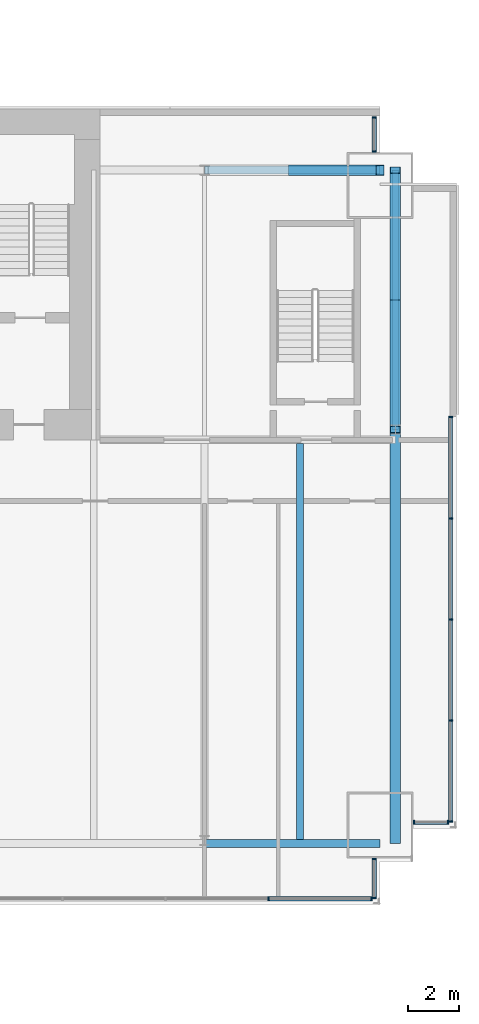
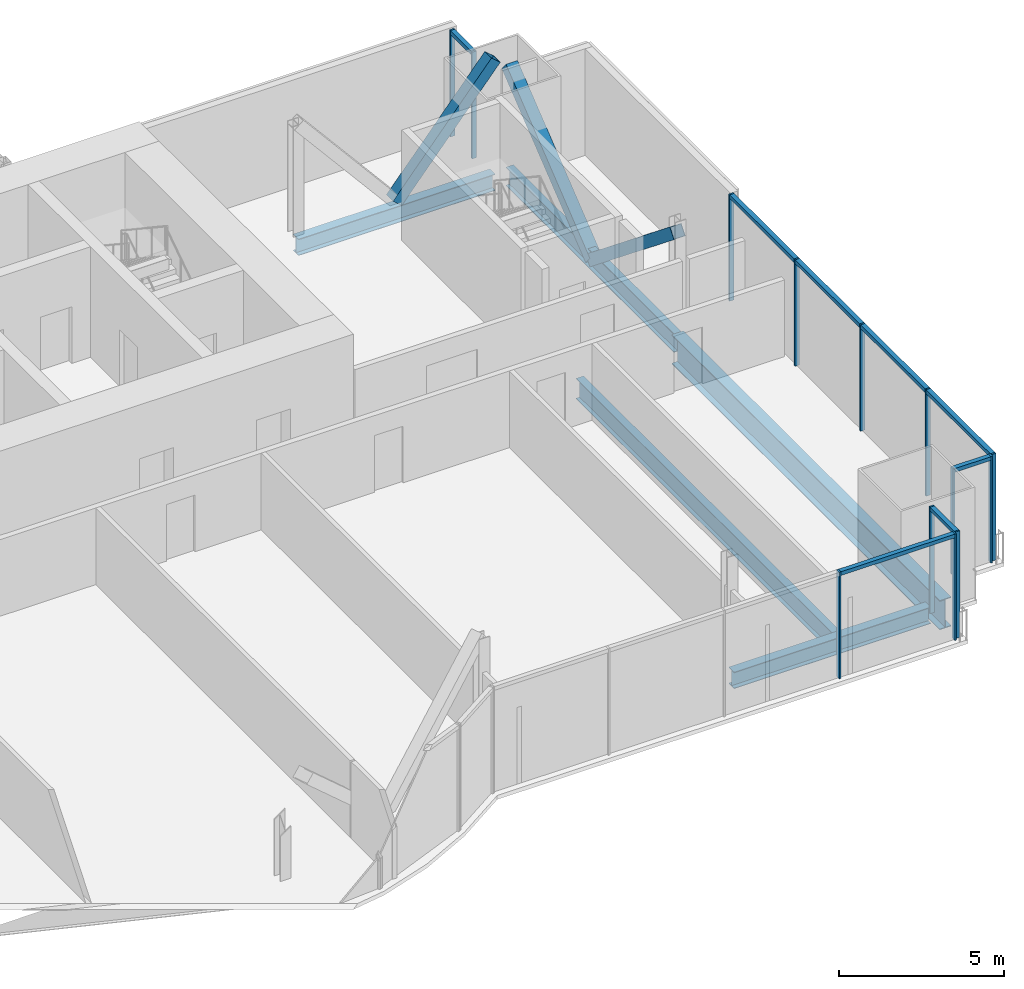
# One storey, part 12 of 20: 24 members, 5 beams, 5 elements without a shape of their own.
"""IFC4 building model written with IfcOpenShell, lengths in metres."""

from ifc_helpers import new_model, si_unit, direction, frame, origin, origin_2d, place, context, subcontext, project, spatial, rectangle, hollow_rectangle, i_section, extrude, material, material_profile, profile_set, type_object, element, aggregate, save


model = new_model("IFC4")

# Units and contexts
model_context = context("Model", 3, precision=1e-05, world=origin(), true_north=direction((0.0, 1.0)))
body_context = subcontext(model_context, "Body", "Model", "MODEL_VIEW")
ifc_project = project(units=[si_unit("LENGTHUNIT", "METRE"), si_unit("AREAUNIT", "SQUARE_METRE"), si_unit("VOLUMEUNIT", "CUBIC_METRE"), si_unit("PLANEANGLEUNIT", "RADIAN"), si_unit("MASSUNIT", "GRAM", prefix="KILO")], contexts=[model_context])

# Site, building, storey
site_placement = place(None, origin())
site = spatial("IfcSite", under=ifc_project, at=site_placement, CompositionType="ELEMENT")
building_placement = place(site_placement, origin())
building = spatial("IfcBuilding", under=site, at=building_placement, Name="Bicima Exchange Tower", CompositionType="ELEMENT")
storey_placement = place(building_placement, frame((0.0, 0.0, 223.699951171875)))
storey = spatial("IfcBuildingStorey", under=building, at=storey_placement, Name="L50", CompositionType="ELEMENT", Elevation=223.699951171875)

# Curtain wall, members
ifc_material_1 = material(Name="Anodised bronze aluminium", Category="aluminium")
curtain_wall_type_1 = type_object("IfcCurtainWallType", Name="End face glass wall", PredefinedType="NOTDEFINED", material=ifc_material_1)
curtain_wall_1_placement = place(storey_placement, origin())
curtain_wall_1 = element("IfcCurtainWall", 1, at=curtain_wall_1_placement, inside=storey, type_object=curtain_wall_type_1, Name="End face glass wall L50 run 19", PredefinedType="NOTDEFINED")
ifc_material_profile_1 = material_profile(ifc_material_1, rectangle(XDim=0.159912109375, YDim=0.06005859375, at=origin_2d()))
ifc_profile_set_1 = profile_set([ifc_material_profile_1], Name="Anodised bronze aluminium")
member_type_1 = type_object("IfcMemberType", Name="End face glass wall mullion 60 x 160", PredefinedType="MULLION", material=ifc_profile_set_1)
member_1_placement = place(storey_placement, frame((35.77001953125, -28.00390625, 0.0), z_axis=(0.0, 0.0, 1.0), x_axis=(-1.0, 0.0, 0.0)))
member_1 = element("IfcMember", 2, at=member_1_placement, type_object=member_type_1, Name="End face glass wall mullion 1", PredefinedType="MULLION", context=body_context, shape_type="SweptSolid", body=[
    extrude(rectangle(XDim=0.159912109375, YDim=0.06005859375, at=origin_2d()), origin(), (0.0, 0.0, 1.0), 3.949951171875),
])
member_2_placement = place(storey_placement, frame((35.77001953125, -24.030517578125, 0.0), z_axis=(0.0, 0.0, 1.0), x_axis=(-1.0, 0.0, 0.0)))
member_2 = element("IfcMember", 3, at=member_2_placement, type_object=member_type_1, Name="End face glass wall mullion 2", PredefinedType="MULLION", context=body_context, shape_type="SweptSolid", body=[
    extrude(rectangle(XDim=0.159912109375, YDim=0.06005859375, at=origin_2d()), origin(), (0.0, 0.0, 1.0), 3.949951171875),
])
member_3_placement = place(storey_placement, frame((35.77001953125, -20.056884765625, 0.0), z_axis=(0.0, 0.0, 1.0), x_axis=(-1.0, 0.0, 0.0)))
member_3 = element("IfcMember", 4, at=member_3_placement, type_object=member_type_1, Name="End face glass wall mullion 3", PredefinedType="MULLION", context=body_context, shape_type="SweptSolid", body=[
    extrude(rectangle(XDim=0.159912109375, YDim=0.06005859375, at=origin_2d()), origin(), (0.0, 0.0, 1.0), 3.949951171875),
])
member_4_placement = place(storey_placement, frame((35.77001953125, -16.08349609375, 0.0), z_axis=(0.0, 0.0, 1.0), x_axis=(-1.0, 0.0, 0.0)))
member_4 = element("IfcMember", 5, at=member_4_placement, type_object=member_type_1, Name="End face glass wall mullion 4", PredefinedType="MULLION", context=body_context, shape_type="SweptSolid", body=[
    extrude(rectangle(XDim=0.159912109375, YDim=0.06005859375, at=origin_2d()), origin(), (0.0, 0.0, 1.0), 3.949951171875),
])
member_5_placement = place(storey_placement, frame((35.77001953125, -12.110107421875, 0.0), z_axis=(0.0, 0.0, 1.0), x_axis=(-1.0, 0.0, 0.0)))
member_5 = element("IfcMember", 6, at=member_5_placement, type_object=member_type_1, Name="End face glass wall mullion 5", PredefinedType="MULLION", context=body_context, shape_type="SweptSolid", body=[
    extrude(rectangle(XDim=0.159912109375, YDim=0.06005859375, at=origin_2d()), origin(), (0.0, 0.0, 1.0), 3.949951171875),
])
ifc_material_profile_2 = material_profile(ifc_material_1, rectangle(XDim=0.159912109375, YDim=0.139892578125, at=origin_2d()))
ifc_profile_set_2 = profile_set([ifc_material_profile_2], Name="Anodised bronze aluminium")
member_type_2 = type_object("IfcMemberType", Name="End face glass wall transom 140 x 160", PredefinedType="USERDEFINED", material=ifc_profile_set_2)
member_6_placement = place(storey_placement, frame((35.77001953125, -27.97412109375, 3.880126953125), z_axis=(0.0, 1.0, 0.0), x_axis=(-1.0, 0.0, 0.0)))
member_6 = element("IfcMember", 7, at=member_6_placement, type_object=member_type_2, Name="End face glass wall transom 1.1", ObjectType="TRANSOM", PredefinedType="USERDEFINED", context=body_context, shape_type="SweptSolid", body=[
    extrude(rectangle(XDim=0.159912109375, YDim=0.139892578125, at=origin_2d()), origin(), (0.0, 0.0, 1.0), 3.91357421875),
])
member_7_placement = place(storey_placement, frame((35.77001953125, -24.00048828125, 3.880126953125), z_axis=(0.0, 1.0, 0.0), x_axis=(-1.0, 0.0, 0.0)))
member_7 = element("IfcMember", 8, at=member_7_placement, type_object=member_type_2, Name="End face glass wall transom 2.1", ObjectType="TRANSOM", PredefinedType="USERDEFINED", context=body_context, shape_type="SweptSolid", body=[
    extrude(rectangle(XDim=0.159912109375, YDim=0.139892578125, at=origin_2d()), origin(), (0.0, 0.0, 1.0), 3.91357421875),
])
member_8_placement = place(storey_placement, frame((35.77001953125, -20.027099609375, 3.880126953125), z_axis=(0.0, 1.0, 0.0), x_axis=(-1.0, 0.0, 0.0)))
member_8 = element("IfcMember", 9, at=member_8_placement, type_object=member_type_2, Name="End face glass wall transom 3.1", ObjectType="TRANSOM", PredefinedType="USERDEFINED", context=body_context, shape_type="SweptSolid", body=[
    extrude(rectangle(XDim=0.159912109375, YDim=0.139892578125, at=origin_2d()), origin(), (0.0, 0.0, 1.0), 3.91357421875),
])
member_9_placement = place(storey_placement, frame((35.77001953125, -16.053466796875, 3.880126953125), z_axis=(0.0, 1.0, 0.0), x_axis=(-1.0, 0.0, 0.0)))
member_9 = element("IfcMember", 10, at=member_9_placement, type_object=member_type_2, Name="End face glass wall transom 4.1", ObjectType="TRANSOM", PredefinedType="USERDEFINED", context=body_context, shape_type="SweptSolid", body=[
    extrude(rectangle(XDim=0.159912109375, YDim=0.139892578125, at=origin_2d()), origin(), (0.0, 0.0, 1.0), 3.91357421875),
])
aggregate(curtain_wall_1, [member_1, member_2, member_3, member_4, member_5, member_6, member_7, member_8, member_9])

# Beams
ifc_material_2 = material(Name="Steel ASTM A992 Gr 50", Category="steel")
ifc_material_profile_3 = material_profile(ifc_material_2, i_section(OverallWidth=0.256591796875, OverallDepth=0.693359375, WebThickness=0.014404296875, FlangeThickness=0.023681640625, at=origin_2d()))
ifc_profile_set_3 = profile_set([ifc_material_profile_3], Name="Steel ASTM A992 Gr 50")
beam_type_1 = type_object("IfcBeamType", Name="End girder W27x114", PredefinedType="BEAM", material=ifc_profile_set_3)
beam_1_placement = place(storey_placement, frame((33.60009765625, -2.39990234375, -0.49658203125), z_axis=(0.0, -1.0, 0.0), x_axis=(1.0, 0.0, 0.0)))
element("IfcBeam", 11, at=beam_1_placement, inside=storey, type_object=beam_type_1, Name="End girder", PredefinedType="BEAM", context=body_context, shape_type="SweptSolid", body=[
    extrude(i_section(OverallWidth=0.256591796875, OverallDepth=0.693359375, WebThickness=0.014404296875, FlangeThickness=0.023681640625, at=origin_2d()), origin(), (0.0, 0.0, 1.0), 10.2001953125),
])
ifc_material_profile_4 = material_profile(ifc_material_2, i_section(OverallWidth=0.4013671875, OverallDepth=1.089599609375, WebThickness=0.01806640625, FlangeThickness=0.031005859375, at=origin_2d()))
ifc_profile_set_4 = profile_set([ifc_material_profile_4], Name="Steel ASTM A992 Gr 50")
beam_type_2 = type_object("IfcBeamType", Name="End girder W44x230", PredefinedType="BEAM", material=ifc_profile_set_4)
beam_2_placement = place(storey_placement, frame((33.60009765625, -12.60009765625, -0.69482421875), z_axis=(0.0, -1.0, 0.0), x_axis=(1.0, 0.0, 0.0)))
element("IfcBeam", 12, at=beam_2_placement, inside=storey, type_object=beam_type_2, Name="End girder", PredefinedType="BEAM", context=body_context, shape_type="SweptSolid", body=[
    extrude(i_section(OverallWidth=0.4013671875, OverallDepth=1.089599609375, WebThickness=0.01806640625, FlangeThickness=0.031005859375, at=origin_2d()), origin(), (0.0, 0.0, 1.0), 16.263916015625),
])
ifc_material_profile_5 = material_profile(ifc_material_2, i_section(OverallWidth=0.2666015625, OverallDepth=0.75439453125, WebThickness=0.01318359375, FlangeThickness=0.01708984375, at=origin_2d()))
ifc_profile_set_5 = profile_set([ifc_material_profile_5], Name="Steel ASTM A992 Gr 50")
beam_type_3 = type_object("IfcBeamType", Name="Floor beam W30x99", PredefinedType="JOIST", material=ifc_profile_set_5)
beam_3_placement = place(storey_placement, frame((29.85009765625, -13.15234375, -0.527099609375), z_axis=(0.0, -1.0, 0.0), x_axis=(1.0, 0.0, 0.0)))
element("IfcBeam", 13, at=beam_3_placement, inside=storey, type_object=beam_type_3, Name="Floor beam", PredefinedType="JOIST", context=body_context, shape_type="SweptSolid", body=[
    extrude(i_section(OverallWidth=0.2666015625, OverallDepth=0.75439453125, WebThickness=0.01318359375, FlangeThickness=0.01708984375, at=origin_2d()), origin(), (0.0, 0.0, 1.0), 15.549072265625),
])
ifc_material_profile_6 = material_profile(ifc_material_2, i_section(OverallWidth=0.3251953125, OverallDepth=0.612060546875, WebThickness=0.0126953125, FlangeThickness=0.01904296875, at=origin_2d()))
ifc_profile_set_6 = profile_set([ifc_material_profile_6], Name="Steel ASTM A992 Gr 50")
beam_type_4 = type_object("IfcBeamType", Name="Front girder W24x104", PredefinedType="BEAM", material=ifc_profile_set_6)
beam_4_placement = place(storey_placement, frame((26.10009765625, -28.864013671875, -0.4560546875), z_axis=(1.0, 0.0, 0.0), x_axis=(0.0, 1.0, 0.0)))
element("IfcBeam", 14, at=beam_4_placement, inside=storey, type_object=beam_type_4, Name="Front girder", PredefinedType="BEAM", context=body_context, shape_type="SweptSolid", body=[
    extrude(i_section(OverallWidth=0.3251953125, OverallDepth=0.612060546875, WebThickness=0.0126953125, FlangeThickness=0.01904296875, at=origin_2d()), origin(), (0.0, 0.0, 1.0), 6.89990234375),
])

# Curtain wall, members
curtain_wall_type_2 = type_object("IfcCurtainWallType", Name="Front glass wall", PredefinedType="NOTDEFINED", material=ifc_material_1)
curtain_wall_2_placement = place(storey_placement, origin())
curtain_wall_2 = element("IfcCurtainWall", 15, at=curtain_wall_2_placement, inside=storey, type_object=curtain_wall_type_2, Name="Front glass wall L50 run 16", PredefinedType="NOTDEFINED")
member_type_3 = type_object("IfcMemberType", Name="Front glass wall mullion 60 x 160", PredefinedType="MULLION", material=ifc_profile_set_1)
member_10_placement = place(storey_placement, frame((28.610595703125, -31.033935546875, 0.0), z_axis=(0.0, 0.0, 1.0), x_axis=(0.0, 1.0, 0.0)))
member_10 = element("IfcMember", 16, at=member_10_placement, type_object=member_type_3, Name="Front glass wall mullion 4", PredefinedType="MULLION", context=body_context, shape_type="SweptSolid", body=[
    extrude(rectangle(XDim=0.159912109375, YDim=0.06005859375, at=origin_2d()), origin(), (0.0, 0.0, 1.0), 3.949951171875),
])
member_11_placement = place(storey_placement, frame((32.659912109375, -31.033935546875, 0.0), z_axis=(0.0, 0.0, 1.0), x_axis=(0.0, 1.0, 0.0)))
member_11 = element("IfcMember", 17, at=member_11_placement, type_object=member_type_3, Name="Front glass wall mullion 5", PredefinedType="MULLION", context=body_context, shape_type="SweptSolid", body=[
    extrude(rectangle(XDim=0.159912109375, YDim=0.06005859375, at=origin_2d()), origin(), (0.0, 0.0, 1.0), 3.949951171875),
])

curtain_wall_3_placement = place(storey_placement, origin())
curtain_wall_3 = element("IfcCurtainWall", 18, at=curtain_wall_3_placement, inside=storey, type_object=curtain_wall_type_2, Name="Front glass wall L50 run 17", PredefinedType="NOTDEFINED")
member_12_placement = place(storey_placement, frame((32.77001953125, -31.00390625, 0.0), z_axis=(0.0, 0.0, 1.0), x_axis=(-1.0, 0.0, 0.0)))
member_12 = element("IfcMember", 19, at=member_12_placement, type_object=member_type_3, Name="Front glass wall mullion 1", PredefinedType="MULLION", context=body_context, shape_type="SweptSolid", body=[
    extrude(rectangle(XDim=0.159912109375, YDim=0.06005859375, at=origin_2d()), origin(), (0.0, 0.0, 1.0), 3.949951171875),
])
member_13_placement = place(storey_placement, frame((32.77001953125, -29.471923828125, 0.0), z_axis=(0.0, 0.0, 1.0), x_axis=(-1.0, 0.0, 0.0)))
member_13 = element("IfcMember", 20, at=member_13_placement, type_object=member_type_3, Name="Front glass wall mullion 2", PredefinedType="MULLION", context=body_context, shape_type="SweptSolid", body=[
    extrude(rectangle(XDim=0.159912109375, YDim=0.06005859375, at=origin_2d()), origin(), (0.0, 0.0, 1.0), 3.949951171875),
])

curtain_wall_4_placement = place(storey_placement, origin())
curtain_wall_4 = element("IfcCurtainWall", 21, at=curtain_wall_4_placement, inside=storey, type_object=curtain_wall_type_2, Name="Front glass wall L50 run 18", PredefinedType="NOTDEFINED")
member_14_placement = place(storey_placement, frame((34.330078125, -28.033935546875, 0.0), z_axis=(0.0, 0.0, 1.0), x_axis=(0.0, 1.0, 0.0)))
member_14 = element("IfcMember", 22, at=member_14_placement, type_object=member_type_3, Name="Front glass wall mullion 1", PredefinedType="MULLION", context=body_context, shape_type="SweptSolid", body=[
    extrude(rectangle(XDim=0.159912109375, YDim=0.06005859375, at=origin_2d()), origin(), (0.0, 0.0, 1.0), 3.949951171875),
])
member_15_placement = place(storey_placement, frame((35.659912109375, -28.033935546875, 0.0), z_axis=(0.0, 0.0, 1.0), x_axis=(0.0, 1.0, 0.0)))
member_15 = element("IfcMember", 23, at=member_15_placement, type_object=member_type_3, Name="Front glass wall mullion 2", PredefinedType="MULLION", context=body_context, shape_type="SweptSolid", body=[
    extrude(rectangle(XDim=0.159912109375, YDim=0.06005859375, at=origin_2d()), origin(), (0.0, 0.0, 1.0), 3.949951171875),
])

curtain_wall_5_placement = place(storey_placement, origin())
curtain_wall_5 = element("IfcCurtainWall", 24, at=curtain_wall_5_placement, inside=storey, type_object=curtain_wall_type_2, Name="Front glass wall L50 run 20", PredefinedType="NOTDEFINED")
member_16_placement = place(storey_placement, frame((32.77001953125, -1.669921875, 0.0), z_axis=(0.0, 0.0, 1.0), x_axis=(-1.0, 0.0, 0.0)))
member_16 = element("IfcMember", 25, at=member_16_placement, type_object=member_type_3, Name="Front glass wall mullion 1", PredefinedType="MULLION", context=body_context, shape_type="SweptSolid", body=[
    extrude(rectangle(XDim=0.159912109375, YDim=0.06005859375, at=origin_2d()), origin(), (0.0, 0.0, 1.0), 3.949951171875),
])
member_17_placement = place(storey_placement, frame((32.77001953125, -0.340087890625, 0.0), z_axis=(0.0, 0.0, 1.0), x_axis=(-1.0, 0.0, 0.0)))
member_17 = element("IfcMember", 26, at=member_17_placement, type_object=member_type_3, Name="Front glass wall mullion 2", PredefinedType="MULLION", context=body_context, shape_type="SweptSolid", body=[
    extrude(rectangle(XDim=0.159912109375, YDim=0.06005859375, at=origin_2d()), origin(), (0.0, 0.0, 1.0), 3.949951171875),
])

# Member
member_type_4 = type_object("IfcMemberType", Name="Front glass wall transom 140 x 160", PredefinedType="USERDEFINED", material=ifc_profile_set_2)
member_18_placement = place(storey_placement, frame((28.640380859375, -31.033935546875, 3.880126953125), z_axis=(1.0, 0.0, 0.0), x_axis=(0.0, 1.0, 0.0)))
member_18 = element("IfcMember", 27, at=member_18_placement, type_object=member_type_4, Name="Front glass wall transom 4.1", ObjectType="TRANSOM", PredefinedType="USERDEFINED", context=body_context, shape_type="SweptSolid", body=[
    extrude(rectangle(XDim=0.159912109375, YDim=0.139892578125, at=origin_2d()), origin(), (0.0, 0.0, 1.0), 3.989501953125),
])

aggregate(curtain_wall_2, [member_10, member_11, member_18])

member_19_placement = place(storey_placement, frame((32.77001953125, -30.97412109375, 3.880126953125), z_axis=(0.0, 1.0, 0.0), x_axis=(-1.0, 0.0, 0.0)))
member_19 = element("IfcMember", 28, at=member_19_placement, type_object=member_type_4, Name="Front glass wall transom 1.1", ObjectType="TRANSOM", PredefinedType="USERDEFINED", context=body_context, shape_type="SweptSolid", body=[
    extrude(rectangle(XDim=0.159912109375, YDim=0.139892578125, at=origin_2d()), origin(), (0.0, 0.0, 1.0), 1.47216796875),
])

aggregate(curtain_wall_3, [member_12, member_13, member_19])

member_20_placement = place(storey_placement, frame((34.360107421875, -28.033935546875, 3.880126953125), z_axis=(1.0, 0.0, 0.0), x_axis=(0.0, 1.0, 0.0)))
member_20 = element("IfcMember", 29, at=member_20_placement, type_object=member_type_4, Name="Front glass wall transom 1.1", ObjectType="TRANSOM", PredefinedType="USERDEFINED", context=body_context, shape_type="SweptSolid", body=[
    extrude(rectangle(XDim=0.159912109375, YDim=0.139892578125, at=origin_2d()), origin(), (0.0, 0.0, 1.0), 1.269775390625),
])

aggregate(curtain_wall_4, [member_14, member_15, member_20])

member_21_placement = place(storey_placement, frame((32.77001953125, -1.639892578125, 3.880126953125), z_axis=(0.0, 1.0, 0.0), x_axis=(-1.0, 0.0, 0.0)))
member_21 = element("IfcMember", 30, at=member_21_placement, type_object=member_type_4, Name="Front glass wall transom 1.1", ObjectType="TRANSOM", PredefinedType="USERDEFINED", context=body_context, shape_type="SweptSolid", body=[
    extrude(rectangle(XDim=0.159912109375, YDim=0.139892578125, at=origin_2d()), origin(), (0.0, 0.0, 1.0), 1.269775390625),
])

aggregate(curtain_wall_5, [member_16, member_17, member_21])

# Members
ifc_material_3 = material(Name="Steel ASTM A572 Gr 50", Category="steel")
ifc_material_profile_7 = material_profile(ifc_material_3, hollow_rectangle(XDim=0.406494140625, YDim=0.406494140625, WallThickness=0.0146484375, at=origin_2d()))
ifc_profile_set_7 = profile_set([ifc_material_profile_7], Name="Steel ASTM A572 Gr 50")
member_type_5 = type_object("IfcMemberType", Name="Mega brace HSS16x16x5/8", PredefinedType="BRACE", material=ifc_profile_set_7)
member_22_placement = place(storey_placement, frame((29.550048828125, -2.39990234375, 0.0), z_axis=(0.643834042494, 0.0, 0.765165162384), x_axis=(0.0, 1.0, 0.0)))
element("IfcMember", 31, at=member_22_placement, inside=storey, type_object=member_type_5, Name="Mega brace rear", PredefinedType="BRACE", context=body_context, shape_type="SweptSolid", body=[
    extrude(hollow_rectangle(XDim=0.406494140625, YDim=0.406494140625, WallThickness=0.0146484375, at=origin_2d()), origin(), (0.0, 0.0, 1.0), 5.3583984375),
])
for number, where, z_axis, x_axis, name in (
    (32, (33.60009765625, -7.5, -0.49658203125), (0.0, -0.779392460608, 0.626536026376), (1.0, 0.0, 0.0), "Mega brace east end"),
    (33, (33.60009765625, -7.5, -0.49658203125), (0.0, 0.779392460608, 0.626536026376), (-1.0, 0.0, 0.0), "Mega brace east end"),
):
    element("IfcMember", number, at=place(storey_placement, frame(where, z_axis=z_axis, x_axis=x_axis)), inside=storey, type_object=member_type_5, Name=name, PredefinedType="BRACE", context=body_context, shape_type="SweptSolid", body=[
        extrude(hollow_rectangle(XDim=0.406494140625, YDim=0.406494140625, WallThickness=0.0146484375, at=origin_2d()), origin(), (0.0, 0.0, 1.0), 6.543701171875),
    ])

# Beam
beam_type_5 = type_object("IfcBeamType", Name="Rear girder W24x104", PredefinedType="BEAM", material=ifc_profile_set_6)
beam_5_placement = place(storey_placement, frame((26.10009765625, -2.39990234375, -0.4560546875), z_axis=(1.0, 0.0, 0.0), x_axis=(0.0, 1.0, 0.0)))
element("IfcBeam", 34, at=beam_5_placement, inside=storey, type_object=beam_type_5, Name="Rear girder", PredefinedType="BEAM", context=body_context, shape_type="SweptSolid", body=[
    extrude(i_section(OverallWidth=0.3251953125, OverallDepth=0.612060546875, WebThickness=0.0126953125, FlangeThickness=0.01904296875, at=origin_2d()), origin(), (0.0, 0.0, 1.0), 6.89990234375),
])

save(model, "model.ifc")
